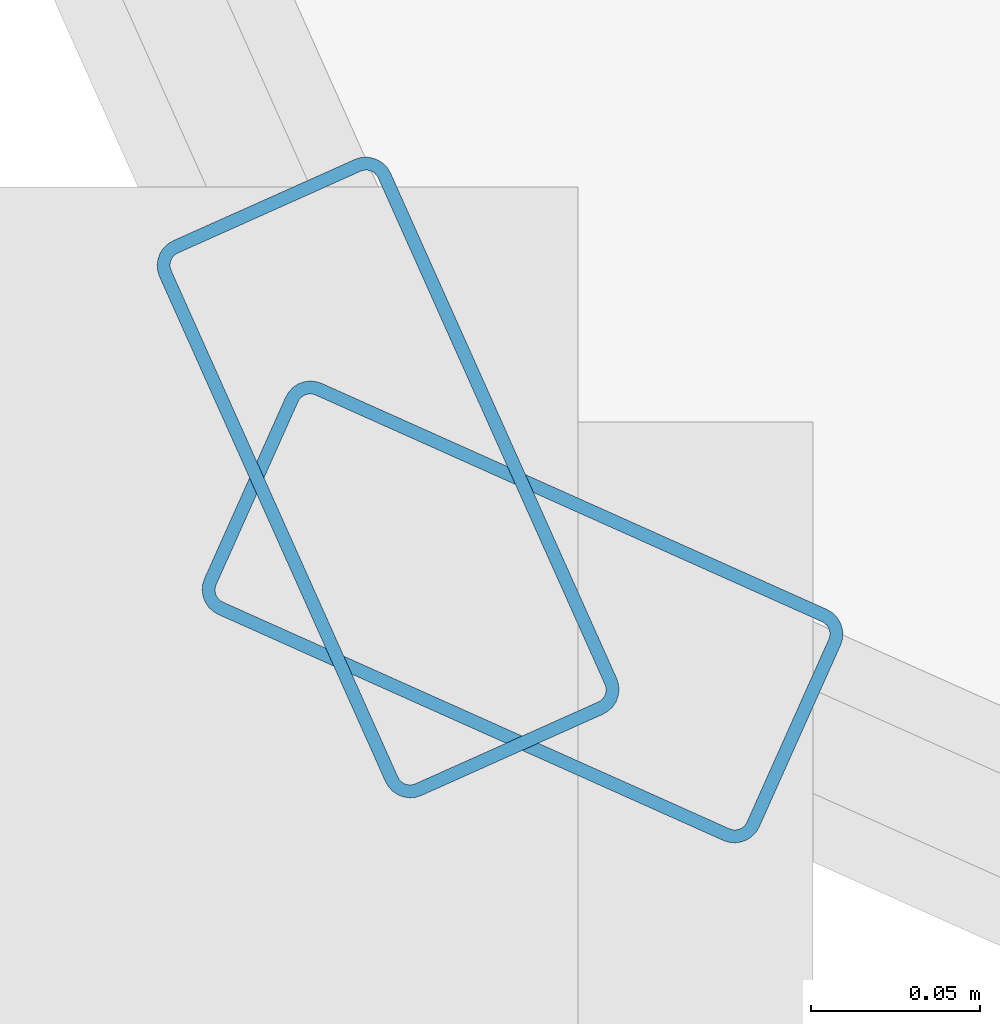
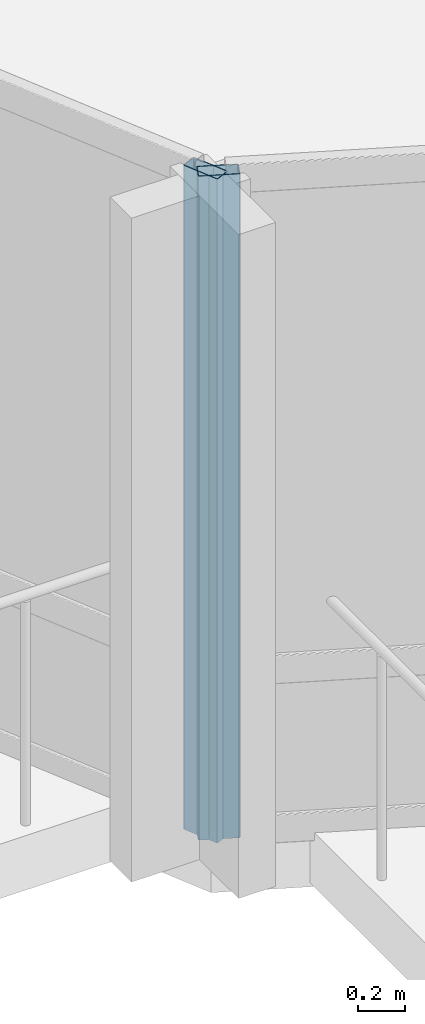
# One storey, part 2 of 19: 2 members, 2 elements without a shape of their own.
"""IFC4 building model written with IfcOpenShell, lengths in metres."""

from ifc_helpers import new_model, si_unit, direction, frame, origin, origin_2d, place, context, subcontext, project, spatial, hollow_rectangle, extrude, material, layer, layer_set, material_profile, profile_set, type_object, element, aggregate, save


model = new_model("IFC4")

# Units and contexts
model_context = context("Model", 3, precision=1e-05, world=origin(), true_north=direction((0.0, 1.0)))
body_context = subcontext(model_context, "Body", "Model", "MODEL_VIEW")
ifc_project = project(units=[si_unit("LENGTHUNIT", "METRE"), si_unit("AREAUNIT", "SQUARE_METRE"), si_unit("VOLUMEUNIT", "CUBIC_METRE"), si_unit("PLANEANGLEUNIT", "RADIAN"), si_unit("MASSUNIT", "GRAM", prefix="KILO")], contexts=[model_context])

# Site, building, storey
site_placement = place(None, origin())
site = spatial("IfcSite", under=ifc_project, at=site_placement, CompositionType="ELEMENT")
building_placement = place(site_placement, origin())
building = spatial("IfcBuilding", under=site, at=building_placement, Name="Solvaryn Broadcast Tower", CompositionType="ELEMENT")
storey_placement = place(building_placement, frame((0.0, 0.0, 266.699951171875)))
storey = spatial("IfcBuildingStorey", under=building, at=storey_placement, Name="L67", CompositionType="ELEMENT", Elevation=266.699951171875)

# Curtain wall, member
ifc_material_1 = material(Name="Aluminium and Terracotta Unitised Curtain Wall", Category="masonry")
ifc_layer_1 = layer(ifc_material_1, 0.239990234375)
ifc_layer_set_1 = layer_set([ifc_layer_1], Name="CW-SYS3-BAYBOX")
curtain_wall_type_1 = type_object("IfcCurtainWallType", Name="CW-SYS3-BAYBOX", PredefinedType="NOTDEFINED", material=ifc_layer_set_1)
curtain_wall_1_placement = place(storey_placement, origin())
curtain_wall_1 = element("IfcCurtainWall", 1, at=curtain_wall_1_placement, inside=storey, type_object=curtain_wall_type_1, Name="L67 Curtain Wall DR2", PredefinedType="NOTDEFINED")
ifc_material_2 = material(Name="Anodised Aluminium 6063-T6", Category="aluminium")
ifc_material_profile = material_profile(ifc_material_2, hollow_rectangle(XDim=0.074951171875, YDim=0.179931640625, WallThickness=0.00390625, InnerFilletRadius=0.00390625, OuterFilletRadius=0.008056640625, at=origin_2d()))
ifc_profile_set = profile_set([ifc_material_profile], Name="Anodised Aluminium 6063-T6")
member_type = type_object("IfcMemberType", Name="CW-MUL-180", PredefinedType="MULLION", material=ifc_profile_set)
member_1_placement = place(storey_placement, frame((10.8046875, 10.844482421875, 0.0), z_axis=(0.0, 0.0, 1.0), x_axis=(0.912773530574, 0.408466010682, 0.0)))
member_1 = element("IfcMember", 2, at=member_1_placement, type_object=member_type, Name="CWS3 mullion 2", PredefinedType="MULLION", context=body_context, shape_type="SweptSolid", body=[
    extrude(hollow_rectangle(XDim=0.074951171875, YDim=0.179931640625, WallThickness=0.00390625, InnerFilletRadius=0.00390625, OuterFilletRadius=0.008056640625, at=origin_2d()), origin(), (0.0, 0.0, 1.0), 3.420166015625),
])
aggregate(curtain_wall_1, [member_1])

ifc_material_3 = material(Name="Aluminium and Terracotta Unitised Curtain Wall", Category="masonry")
ifc_layer_2 = layer(ifc_material_3, 0.199951171875)
ifc_layer_set_2 = layer_set([ifc_layer_2], Name="CW-SYS2-LOWMID")
curtain_wall_type_2 = type_object("IfcCurtainWallType", Name="CW-SYS2-LOWMID", PredefinedType="NOTDEFINED", material=ifc_layer_set_2)
curtain_wall_2_placement = place(storey_placement, origin())
curtain_wall_2 = element("IfcCurtainWall", 3, at=curtain_wall_2_placement, inside=storey, type_object=curtain_wall_type_2, Name="L67 Curtain Wall DR3", PredefinedType="NOTDEFINED")
member_2_placement = place(storey_placement, frame((10.844482421875, 10.8046875, 0.0), z_axis=(0.0, 0.0, 1.0), x_axis=(0.408466010682, 0.912773530574, 0.0)))
member_2 = element("IfcMember", 4, at=member_2_placement, type_object=member_type, Name="CWS2 mullion 1", PredefinedType="MULLION", context=body_context, shape_type="SweptSolid", body=[
    extrude(hollow_rectangle(XDim=0.074951171875, YDim=0.179931640625, WallThickness=0.00390625, InnerFilletRadius=0.00390625, OuterFilletRadius=0.008056640625, at=origin_2d()), origin(), (0.0, 0.0, 1.0), 3.420166015625),
])
aggregate(curtain_wall_2, [member_2])

save(model, "model.ifc")
